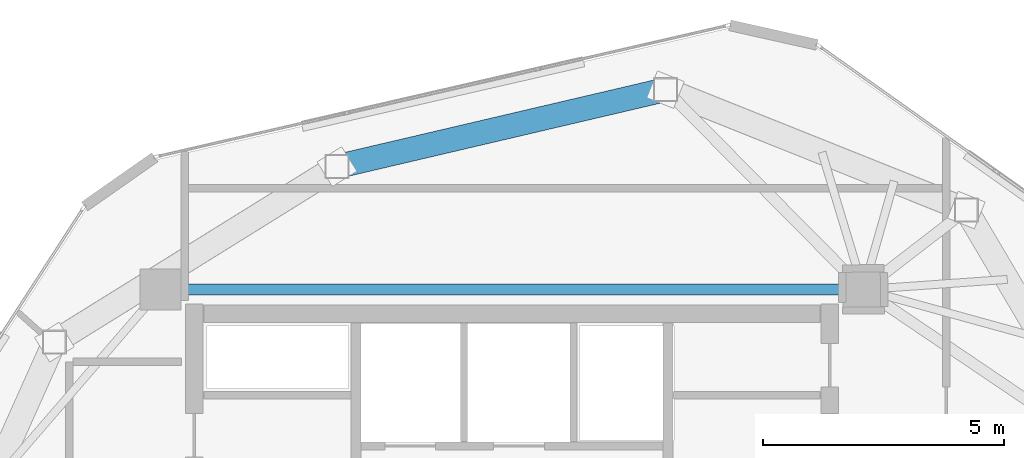
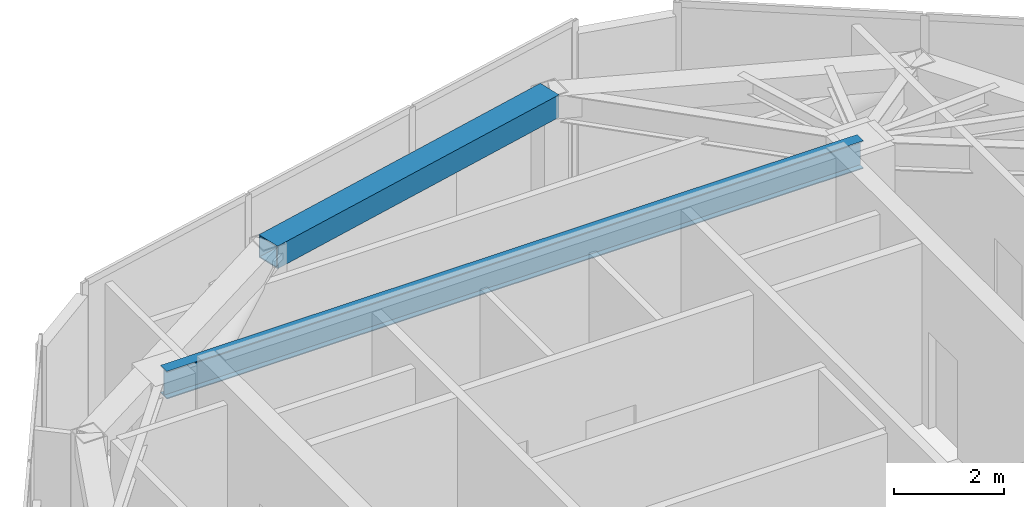
# One storey, part 11 of 20: 2 beams.
"""IFC4 building model written with IfcOpenShell, lengths in metres."""

from ifc_helpers import new_model, si_unit, direction, frame, origin, origin_2d, place, context, subcontext, project, spatial, hollow_rectangle, i_section, extrude, material, material_profile, profile_set, type_object, element, save


model = new_model("IFC4")

# Units and contexts
model_context = context("Model", 3, precision=1e-05, world=origin(), true_north=direction((0.0, 1.0)))
body_context = subcontext(model_context, "Body", "Model", "MODEL_VIEW")
ifc_project = project(units=[si_unit("LENGTHUNIT", "METRE"), si_unit("AREAUNIT", "SQUARE_METRE"), si_unit("VOLUMEUNIT", "CUBIC_METRE"), si_unit("PLANEANGLEUNIT", "RADIAN"), si_unit("MASSUNIT", "GRAM", prefix="KILO")], contexts=[model_context])

# Site, building, storey
site_placement = place(None, origin())
site = spatial("IfcSite", under=ifc_project, at=site_placement, CompositionType="ELEMENT")
building_placement = place(site_placement, origin())
building = spatial("IfcBuilding", under=site, at=building_placement, Name="Talar Marvaseh", CompositionType="ELEMENT")
storey_placement = place(building_placement, frame((0.0, 0.0, 312.0)))
storey = spatial("IfcBuildingStorey", under=building, at=storey_placement, Name="L83", CompositionType="ELEMENT", Elevation=312.0)

# Beams
ifc_material_1 = material(Name="Steel S460", Category="steel")
ifc_material_profile_1 = material_profile(ifc_material_1, hollow_rectangle(XDim=0.5, YDim=0.5, WallThickness=0.02490234375, at=origin_2d()), Name="BOX500x500x25")
ifc_profile_set_1 = profile_set([ifc_material_profile_1], Name="Steel S460")
beam_type_1 = type_object("IfcBeamType", Name="Crown Frame Top Ring Beam BOX500x500x25", PredefinedType="BEAM", material=ifc_profile_set_1)
beam_1_placement = place(storey_placement, frame((22.364990234375, 39.4541015625, 3.47509765625), z_axis=(0.973655602276, 0.228023613157, 0.0), x_axis=(-0.228023613157, 0.973655602276, 0.0)))
element("IfcBeam", 1, at=beam_1_placement, inside=storey, type_object=beam_type_1, Name="L83 Crown Frame Top Ring Beam BOX500x500x25", PredefinedType="BEAM", context=body_context, shape_type="SweptSolid", body=[
    extrude(hollow_rectangle(XDim=0.5, YDim=0.5, WallThickness=0.02490234375, at=origin_2d()), origin(), (0.0, 0.0, 1.0), 7.007568359375),
])
ifc_material_2 = material(Name="Steel S355", Category="steel")
ifc_material_profile_2 = material_profile(ifc_material_2, i_section(OverallWidth=0.22998046875, OverallDepth=0.616943359375, WebThickness=0.01318359375, FlangeThickness=0.022216796875, at=origin_2d()), Name="W610x140")
ifc_profile_set_2 = profile_set([ifc_material_profile_2], Name="Steel S355")
beam_type_2 = type_object("IfcBeamType", Name="Zone 4 Radial Floor Girder W610x140", PredefinedType="BEAM", material=ifc_profile_set_2)
beam_2_placement = place(storey_placement, frame((18.699951171875, 36.89990234375, 3.41650390625), z_axis=(1.0, 0.0, 0.0), x_axis=(0.0, 1.0, 0.0)))
element("IfcBeam", 2, at=beam_2_placement, inside=storey, type_object=beam_type_2, Name="L83 Zone 4 Radial Floor Girder W610x140", PredefinedType="BEAM", context=body_context, shape_type="SweptSolid", body=[
    extrude(i_section(OverallWidth=0.22998046875, OverallDepth=0.616943359375, WebThickness=0.01318359375, FlangeThickness=0.022216796875, at=origin_2d()), origin(), (0.0, 0.0, 1.0), 14.60009765625),
])

save(model, "model.ifc")
